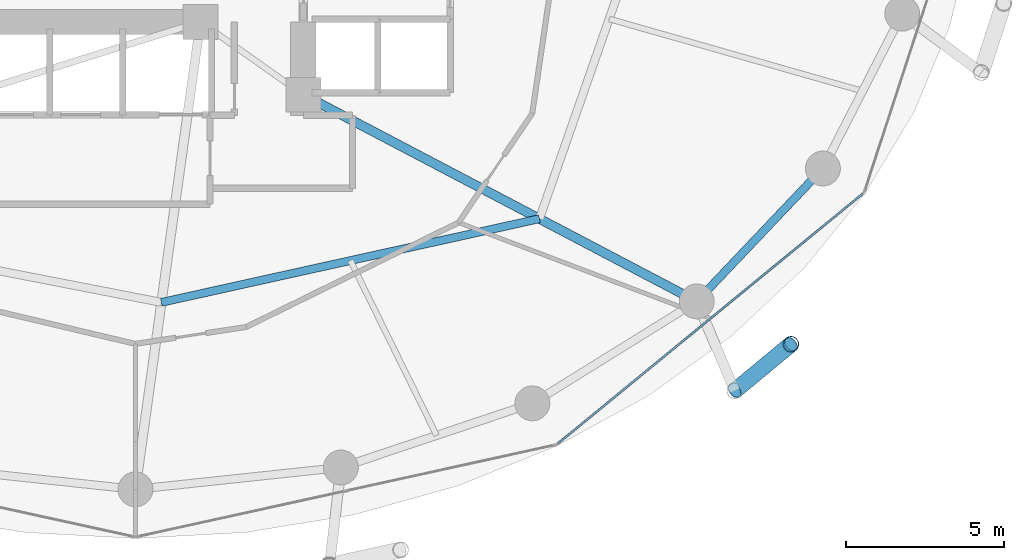
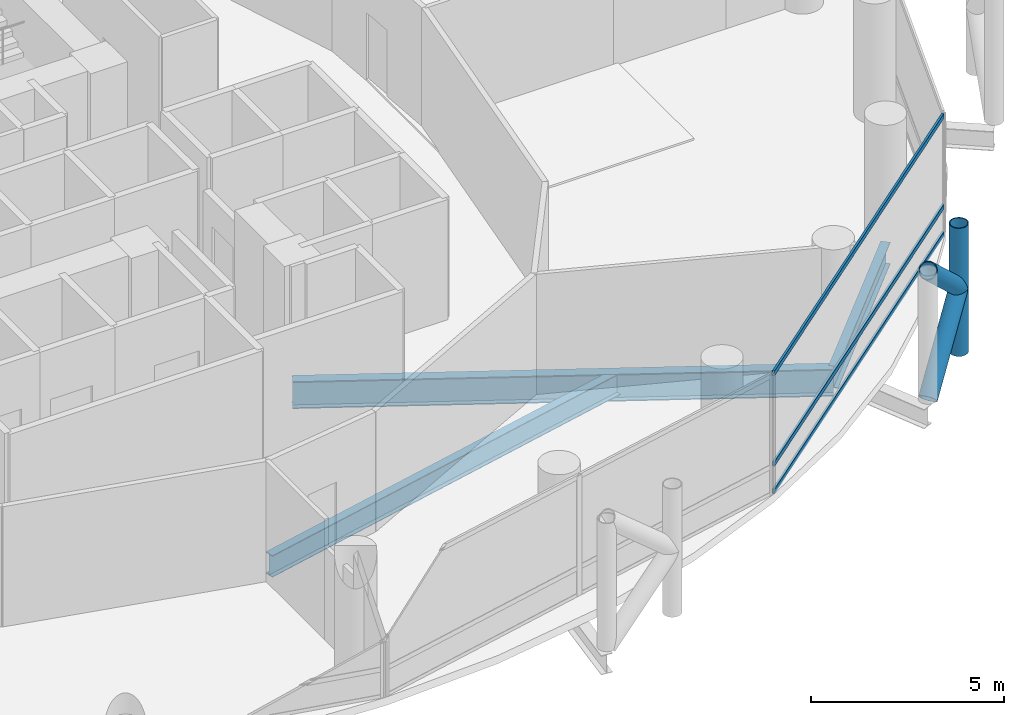
# One storey, part 9 of 26: 6 members, 3 beams, 1 element without a shape of its own.
"""IFC4 building model written with IfcOpenShell, lengths in metres."""

from ifc_helpers import new_model, si_unit, direction, frame, origin, origin_2d, place, context, subcontext, project, spatial, hollow_rectangle, hollow_circle, i_section, extrude, material, layer, layer_set, material_profile, profile_set, type_object, element, aggregate, save


model = new_model("IFC4")

# Units and contexts
model_context = context("Model", 3, precision=1e-05, world=origin(), true_north=direction((0.0, 1.0)))
body_context = subcontext(model_context, "Body", "Model", "MODEL_VIEW")
ifc_project = project(units=[si_unit("LENGTHUNIT", "METRE"), si_unit("AREAUNIT", "SQUARE_METRE"), si_unit("VOLUMEUNIT", "CUBIC_METRE"), si_unit("PLANEANGLEUNIT", "RADIAN"), si_unit("MASSUNIT", "GRAM", prefix="KILO")], contexts=[model_context])

# Site, building, storey
site_placement = place(None, origin())
site = spatial("IfcSite", under=ifc_project, at=site_placement, CompositionType="ELEMENT")
building_placement = place(site_placement, origin())
building = spatial("IfcBuilding", under=site, at=building_placement, Name="Nuhasar Tower", CompositionType="ELEMENT")
storey_placement = place(building_placement, frame((0.0, 0.0, 53.39990234375)))
storey = spatial("IfcBuildingStorey", under=building, at=storey_placement, Name="L12", CompositionType="ELEMENT", Elevation=53.39990234375)

# Beams
ifc_material_1 = material(Name="Steel S355", Category="steel")
ifc_material_profile_1 = material_profile(ifc_material_1, i_section(OverallWidth=0.25390625, OverallDepth=0.68408203125, WebThickness=0.012451171875, FlangeThickness=0.018798828125, at=origin_2d()), Name="W27X94")
ifc_profile_set_1 = profile_set([ifc_material_profile_1], Name="Steel S355")
beam_type_1 = type_object("IfcBeamType", Name="BM-INRING-W27X94", PredefinedType="BEAM", material=ifc_profile_set_1)
beam_1_placement = place(storey_placement, frame((39.820068359375, 12.449951171875, -0.601806640625), z_axis=(0.976386023343, 0.216033176665, 0.0), x_axis=(-0.216033176665, 0.976386023343, 0.0)))
element("IfcBeam", 1, at=beam_1_placement, inside=storey, type_object=beam_type_1, Name="L12 Inner Header Beam 02", PredefinedType="BEAM", context=body_context, shape_type="SweptSolid", body=[
    extrude(i_section(OverallWidth=0.25390625, OverallDepth=0.68408203125, WebThickness=0.012451171875, FlangeThickness=0.018798828125, at=origin_2d()), origin(), (0.0, 0.0, 1.0), 12.216552734375),
])
ifc_material_profile_2 = material_profile(ifc_material_1, i_section(OverallWidth=0.2919921875, OverallDepth=0.85888671875, WebThickness=0.01708984375, FlangeThickness=0.031005859375, at=origin_2d()), Name="W33X169")
ifc_profile_set_2 = profile_set([ifc_material_profile_2], Name="Steel S355")
beam_type_2 = type_object("IfcBeamType", Name="BM-POD-W33X169", PredefinedType="BEAM", material=ifc_profile_set_2)
beam_2_placement = place(storey_placement, frame((44.300048828125, 19.0, -0.68896484375), z_axis=(0.885330348705, -0.464962550816, 0.0), x_axis=(0.464962550816, 0.885330348705, 0.0)))
element("IfcBeam", 2, at=beam_2_placement, inside=storey, type_object=beam_type_2, Name="L12 Radial Floor Girder 03", PredefinedType="BEAM", context=body_context, shape_type="SweptSolid", body=[
    extrude(i_section(OverallWidth=0.2919921875, OverallDepth=0.85888671875, WebThickness=0.01708984375, FlangeThickness=0.031005859375, at=origin_2d()), origin(), (0.0, 0.0, 1.0), 14.0205078125),
])
ifc_material_profile_3 = material_profile(ifc_material_1, i_section(OverallWidth=0.256103515625, OverallDepth=0.693115234375, WebThickness=0.014404296875, FlangeThickness=0.023681640625, at=origin_2d()), Name="W27X114")
ifc_profile_set_3 = profile_set([ifc_material_profile_3], Name="Steel S355")
beam_type_3 = type_object("IfcBeamType", Name="BM-RING-W27X114", PredefinedType="SPANDREL", material=ifc_profile_set_3)
beam_3_placement = place(storey_placement, frame((56.712890625, 12.48095703125, -0.60595703125), z_axis=(0.688459812429, 0.725274490569, 0.0), x_axis=(-0.725274490569, 0.688459812429, 0.0)))
element("IfcBeam", 3, at=beam_3_placement, inside=storey, type_object=beam_type_3, Name="L12 Perimeter Ring Spandrel 22", PredefinedType="SPANDREL", context=body_context, shape_type="SweptSolid", body=[
    extrude(i_section(OverallWidth=0.256103515625, OverallDepth=0.693115234375, WebThickness=0.014404296875, FlangeThickness=0.023681640625, at=origin_2d()), origin(), (0.0, 0.0, 1.0), 5.78271484375),
])

# Curtain wall, members
ifc_material_2 = material(Name="Aluminium 6063-T6", Category="aluminium")
ifc_layer = layer(ifc_material_2, 0.199951171875)
ifc_layer_set = layer_set([ifc_layer], Name="Aluminium 6063-T6")
curtain_wall_type = type_object("IfcCurtainWallType", Name="CW-Z1-OFF", PredefinedType="NOTDEFINED", material=ifc_layer_set)
curtain_wall_placement = place(storey_placement, origin())
curtain_wall = element("IfcCurtainWall", 4, at=curtain_wall_placement, inside=storey, type_object=curtain_wall_type, Name="L12 Unitised Curtain Wall 11", PredefinedType="NOTDEFINED")
ifc_material_profile_4 = material_profile(ifc_material_2, hollow_rectangle(XDim=0.06494140625, YDim=0.14990234375, WallThickness=0.00439453125, at=origin_2d()), Name="CWT-2")
ifc_profile_set_4 = profile_set([ifc_material_profile_4], Name="Aluminium 6063-T6")
member_type_1 = type_object("IfcMemberType", Name="CW-TRN-S2", PredefinedType="USERDEFINED", material=ifc_profile_set_4)
member_1_placement = place(storey_placement, frame((52.330322265625, 7.99609375, 0.03271484375), z_axis=(0.773531229158, 0.633758185365, 0.0), x_axis=(-0.633758185365, 0.773531229158, 0.0)))
member_1 = element("IfcMember", 5, at=member_1_placement, type_object=member_type_1, Name="CW-Z1 transom 1.1", ObjectType="TRANSOM", PredefinedType="USERDEFINED", context=body_context, shape_type="SweptSolid", body=[
    extrude(hollow_rectangle(XDim=0.06494140625, YDim=0.14990234375, WallThickness=0.00439453125, at=origin_2d()), origin(), (0.0, 0.0, 1.0), 12.438232421875),
])
member_2_placement = place(storey_placement, frame((52.330322265625, 7.99609375, 0.900146484375), z_axis=(0.773531229158, 0.633758185365, 0.0), x_axis=(-0.633758185365, 0.773531229158, 0.0)))
member_2 = element("IfcMember", 6, at=member_2_placement, type_object=member_type_1, Name="CW-Z1 transom 1.2", ObjectType="TRANSOM", PredefinedType="USERDEFINED", context=body_context, shape_type="SweptSolid", body=[
    extrude(hollow_rectangle(XDim=0.06494140625, YDim=0.14990234375, WallThickness=0.00439453125, at=origin_2d()), origin(), (0.0, 0.0, 1.0), 12.438232421875),
])
member_3_placement = place(storey_placement, frame((52.330322265625, 7.99609375, 3.767578125), z_axis=(0.773531229158, 0.633758185365, 0.0), x_axis=(-0.633758185365, 0.773531229158, 0.0)))
member_3 = element("IfcMember", 7, at=member_3_placement, type_object=member_type_1, Name="CW-Z1 transom 1.3", ObjectType="TRANSOM", PredefinedType="USERDEFINED", context=body_context, shape_type="SweptSolid", body=[
    extrude(hollow_rectangle(XDim=0.06494140625, YDim=0.14990234375, WallThickness=0.00439453125, at=origin_2d()), origin(), (0.0, 0.0, 1.0), 12.438232421875),
])
aggregate(curtain_wall, [member_1, member_2, member_3])

# Members
ifc_material_3 = material(Name="Steel S460", Category="steel")
ifc_material_profile_5 = material_profile(ifc_material_3, hollow_circle(Radius=0.25390625, WallThickness=0.025390625, at=origin_2d()), Name="HSS508X25.4")
ifc_profile_set_5 = profile_set([ifc_material_profile_5], Name="Steel S460")
member_type_2 = type_object("IfcMemberType", Name="EXO-BRONZE-508", PredefinedType="BRACE", material=ifc_profile_set_5)
member_4_placement = place(storey_placement, frame((59.68505859375, 11.12890625, 0.0), z_axis=(0.0, 0.0, 1.0), x_axis=(1.0, 0.0, 0.0)))
element("IfcMember", 8, at=member_4_placement, inside=storey, type_object=member_type_2, Name="L12 Exoskeleton Chord Column EC-11B", PredefinedType="BRACE", context=body_context, shape_type="SweptSolid", body=[
    extrude(hollow_circle(Radius=0.25390625, WallThickness=0.025390625, at=origin_2d()), origin(), (0.0, 0.0, 1.0), 4.050048828125),
])
member_5_placement = place(storey_placement, frame((57.9130859375, 9.660888671875, 0.0), z_axis=(0.578071194894, 0.478911834514, 0.660664172175), x_axis=(-0.637969333506, 0.770061769929, 0.0)))
element("IfcMember", 9, at=member_5_placement, inside=storey, type_object=member_type_2, Name="L12 Bronze Diagrid Brace W1-11", PredefinedType="BRACE", context=body_context, shape_type="SweptSolid", body=[
    extrude(hollow_circle(Radius=0.25390625, WallThickness=0.025390625, at=origin_2d()), origin(), (0.0, 0.0, 1.0), 3.0654296875),
])
member_6_placement = place(storey_placement, frame((59.68505859375, 11.12890625, 2.025146484375), z_axis=(-0.578101613167, -0.478937034992, 0.660619286251), x_axis=(0.637969333506, -0.770061769929, 0.0)))
element("IfcMember", 10, at=member_6_placement, inside=storey, type_object=member_type_2, Name="L12 Bronze Diagrid Brace W2-11", PredefinedType="BRACE", context=body_context, shape_type="SweptSolid", body=[
    extrude(hollow_circle(Radius=0.25390625, WallThickness=0.025390625, at=origin_2d()), origin(), (0.0, 0.0, 1.0), 3.065185546875),
])

save(model, "model.ifc")
